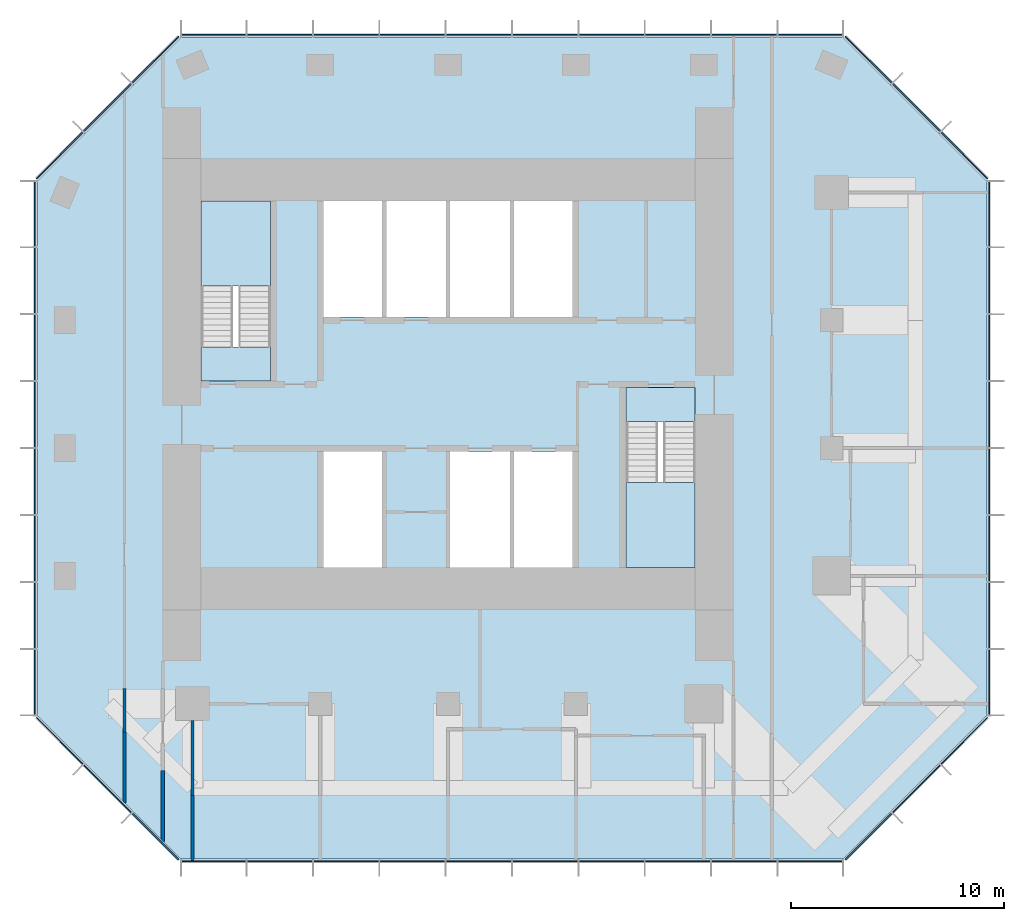
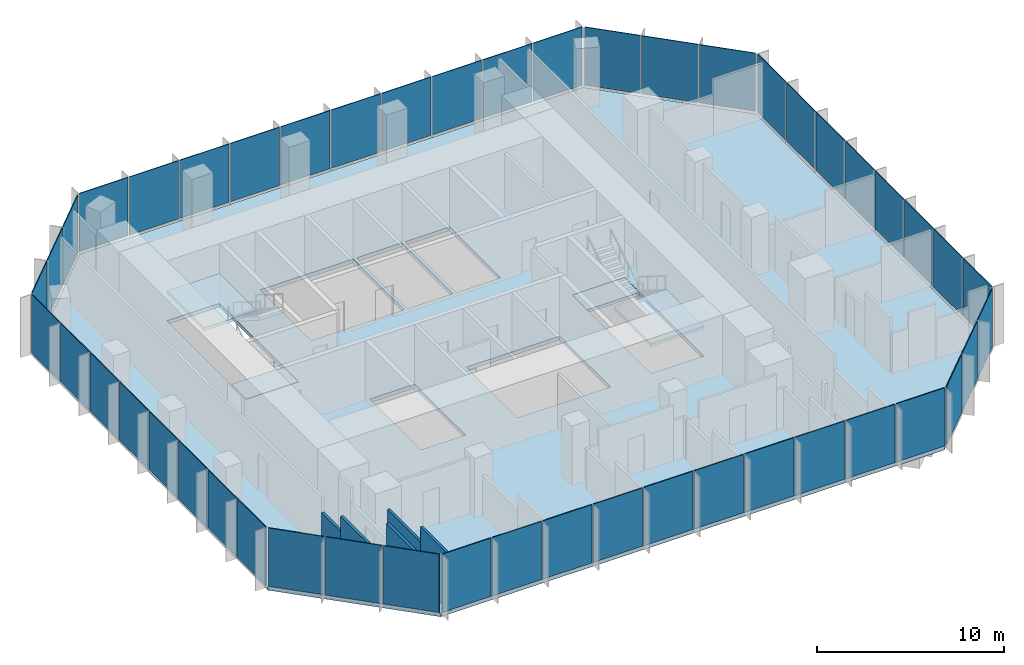
# One storey, part 7 of 11: 48 plates, 5 slabs, 5 walls, 10 elements without a shape of their own.
"""IFC4 building model written with IfcOpenShell, lengths in metres."""

from ifc_helpers import new_model, si_unit, direction, frame, frame_2d, origin, origin_2d, place, context, subcontext, project, spatial, polyline, rectangle, outline, extrude, material, layer, layer_set, type_object, element, aggregate, save


model = new_model("IFC4")

# Units and contexts
model_context = context("Model", 3, precision=1e-05, world=origin(), true_north=direction((0.0, 1.0)))
body_context = subcontext(model_context, "Body", "Model", "MODEL_VIEW")
ifc_project = project(units=[si_unit("LENGTHUNIT", "METRE"), si_unit("AREAUNIT", "SQUARE_METRE"), si_unit("VOLUMEUNIT", "CUBIC_METRE"), si_unit("PLANEANGLEUNIT", "RADIAN"), si_unit("MASSUNIT", "GRAM", prefix="KILO")], contexts=[model_context])

# Site, building, storey
site_placement = place(None, origin())
site = spatial("IfcSite", under=ifc_project, at=site_placement, CompositionType="ELEMENT")
building_placement = place(site_placement, origin())
building = spatial("IfcBuilding", under=site, at=building_placement, Name="Highveld Stack Headquarters", CompositionType="ELEMENT")
storey_placement = place(building_placement, frame((0.0, 0.0, 272.300048828125)))
storey = spatial("IfcBuildingStorey", under=building, at=storey_placement, Name="L67", CompositionType="ELEMENT", Elevation=272.300048828125)

# Curtain wall, plates
ifc_material_1 = material(Name="Aluminium bronze anodised", Category="aluminium")
ifc_layer_1 = layer(ifc_material_1, 0.199951171875)
ifc_layer_set_1 = layer_set([ifc_layer_1], Name="Aluminium bronze anodised")
curtain_wall_type = type_object("IfcCurtainWallType", Name="CW5 EXECUTIVE UNITISED CURTAIN WALL", PredefinedType="NOTDEFINED", material=ifc_layer_set_1)
curtain_wall_1_placement = place(storey_placement, origin())
curtain_wall_1 = element("IfcCurtainWall", 1, at=curtain_wall_1_placement, inside=storey, type_object=curtain_wall_type, Name="Curtain wall CW5 L67 S", PredefinedType="NOTDEFINED")
ifc_material_2 = material(Name="Glass bronze tinted triple glazed unit", Category="glass")
ifc_layer_2 = layer(ifc_material_2, 0.050048828125)
ifc_layer_set_2 = layer_set([ifc_layer_2], Name="Glass bronze tinted triple glazed unit")
plate_type = type_object("IfcPlateType", Name="CW5 PANEL BRONZE TINTED TRIPLE GLAZED UNIT", PredefinedType="CURTAIN_PANEL", material=ifc_layer_set_2)
plate_1_placement = place(storey_placement, frame((-5.005615234375, -19.39990234375, 0.10009765625), z_axis=(0.0, 0.0, 1.0), x_axis=(1.0, 0.0, 0.0)))
plate_1 = element("IfcPlate", 2, at=plate_1_placement, type_object=plate_type, Name="CW5 panel L67 1.1", PredefinedType="CURTAIN_PANEL", context=body_context, shape_type="SweptSolid", body=[
    extrude(rectangle(XDim=3.0185546875, YDim=0.050048828125, at=origin_2d()), origin(), (0.0, 0.0, 1.0), 3.800048828125),
])
plate_2_placement = place(storey_placement, frame((-1.906005859375, -19.39990234375, 0.10009765625), z_axis=(0.0, 0.0, 1.0), x_axis=(1.0, 0.0, 0.0)))
plate_2 = element("IfcPlate", 3, at=plate_2_placement, type_object=plate_type, Name="CW5 panel L67 2.1", PredefinedType="CURTAIN_PANEL", context=body_context, shape_type="SweptSolid", body=[
    extrude(rectangle(XDim=3.051025390625, YDim=0.050048828125, at=origin_2d()), origin(), (0.0, 0.0, 1.0), 3.800048828125),
])
plate_3_placement = place(storey_placement, frame((1.2099609375, -19.39990234375, 0.10009765625), z_axis=(0.0, 0.0, 1.0), x_axis=(1.0, 0.0, 0.0)))
plate_3 = element("IfcPlate", 4, at=plate_3_placement, type_object=plate_type, Name="CW5 panel L67 3.1", PredefinedType="CURTAIN_PANEL", context=body_context, shape_type="SweptSolid", body=[
    extrude(rectangle(XDim=3.051025390625, YDim=0.050048828125, at=origin_2d()), origin(), (0.0, 0.0, 1.0), 3.800048828125),
])
plate_4_placement = place(storey_placement, frame((4.325927734375, -19.39990234375, 0.10009765625), z_axis=(0.0, 0.0, 1.0), x_axis=(1.0, 0.0, 0.0)))
plate_4 = element("IfcPlate", 5, at=plate_4_placement, type_object=plate_type, Name="CW5 panel L67 4.1", PredefinedType="CURTAIN_PANEL", context=body_context, shape_type="SweptSolid", body=[
    extrude(rectangle(XDim=3.051025390625, YDim=0.050048828125, at=origin_2d()), origin(), (0.0, 0.0, 1.0), 3.800048828125),
])
plate_5_placement = place(storey_placement, frame((7.44189453125, -19.39990234375, 0.10009765625), z_axis=(0.0, 0.0, 1.0), x_axis=(1.0, 0.0, 0.0)))
plate_5 = element("IfcPlate", 6, at=plate_5_placement, type_object=plate_type, Name="CW5 panel L67 5.1", PredefinedType="CURTAIN_PANEL", context=body_context, shape_type="SweptSolid", body=[
    extrude(rectangle(XDim=3.051025390625, YDim=0.050048828125, at=origin_2d()), origin(), (0.0, 0.0, 1.0), 3.800048828125),
])
plate_6_placement = place(storey_placement, frame((10.55810546875, -19.39990234375, 0.10009765625), z_axis=(0.0, 0.0, 1.0), x_axis=(1.0, 0.0, 0.0)))
plate_6 = element("IfcPlate", 7, at=plate_6_placement, type_object=plate_type, Name="CW5 panel L67 6.1", PredefinedType="CURTAIN_PANEL", context=body_context, shape_type="SweptSolid", body=[
    extrude(rectangle(XDim=3.051025390625, YDim=0.050048828125, at=origin_2d()), origin(), (0.0, 0.0, 1.0), 3.800048828125),
])
plate_7_placement = place(storey_placement, frame((13.674072265625, -19.39990234375, 0.10009765625), z_axis=(0.0, 0.0, 1.0), x_axis=(1.0, 0.0, 0.0)))
plate_7 = element("IfcPlate", 8, at=plate_7_placement, type_object=plate_type, Name="CW5 panel L67 7.1", PredefinedType="CURTAIN_PANEL", context=body_context, shape_type="SweptSolid", body=[
    extrude(rectangle(XDim=3.051025390625, YDim=0.050048828125, at=origin_2d()), origin(), (0.0, 0.0, 1.0), 3.800048828125),
])
plate_8_placement = place(storey_placement, frame((16.789794921875, -19.39990234375, 0.10009765625), z_axis=(0.0, 0.0, 1.0), x_axis=(1.0, 0.0, 0.0)))
plate_8 = element("IfcPlate", 9, at=plate_8_placement, type_object=plate_type, Name="CW5 panel L67 8.1", PredefinedType="CURTAIN_PANEL", context=body_context, shape_type="SweptSolid", body=[
    extrude(rectangle(XDim=3.051025390625, YDim=0.050048828125, at=origin_2d()), origin(), (0.0, 0.0, 1.0), 3.800048828125),
])
plate_9_placement = place(storey_placement, frame((19.906005859375, -19.39990234375, 0.10009765625), z_axis=(0.0, 0.0, 1.0), x_axis=(1.0, 0.0, 0.0)))
plate_9 = element("IfcPlate", 10, at=plate_9_placement, type_object=plate_type, Name="CW5 panel L67 9.1", PredefinedType="CURTAIN_PANEL", context=body_context, shape_type="SweptSolid", body=[
    extrude(rectangle(XDim=3.051025390625, YDim=0.050048828125, at=origin_2d()), origin(), (0.0, 0.0, 1.0), 3.800048828125),
])
plate_10_placement = place(storey_placement, frame((23.005615234375, -19.39990234375, 0.10009765625), z_axis=(0.0, 0.0, 1.0), x_axis=(1.0, 0.0, 0.0)))
plate_10 = element("IfcPlate", 11, at=plate_10_placement, type_object=plate_type, Name="CW5 panel L67 10.1", PredefinedType="CURTAIN_PANEL", context=body_context, shape_type="SweptSolid", body=[
    extrude(rectangle(XDim=3.0185546875, YDim=0.050048828125, at=origin_2d()), origin(), (0.0, 0.0, 1.0), 3.800048828125),
])
aggregate(curtain_wall_1, [plate_1, plate_2, plate_3, plate_4, plate_5, plate_6, plate_7, plate_8, plate_9, plate_10])

curtain_wall_2_placement = place(storey_placement, origin())
curtain_wall_2 = element("IfcCurtainWall", 12, at=curtain_wall_2_placement, inside=storey, type_object=curtain_wall_type, Name="Curtain wall CW5 L67 SE", PredefinedType="NOTDEFINED")
plate_11_placement = place(storey_placement, frame((25.740478515625, -18.239501953125, 0.10009765625), z_axis=(0.0, 0.0, 1.0), x_axis=(0.707106781187, 0.707106781187, 0.0)))
plate_11 = element("IfcPlate", 13, at=plate_11_placement, type_object=plate_type, Name="CW5 panel L67 1.1", PredefinedType="CURTAIN_PANEL", context=body_context, shape_type="SweptSolid", body=[
    extrude(rectangle(XDim=3.08251953125, YDim=0.050048828125, at=origin_2d()), origin(), (0.0, 0.0, 1.0), 3.800048828125),
])
plate_12_placement = place(storey_placement, frame((27.989990234375, -15.989990234375, 0.10009765625), z_axis=(0.0, 0.0, 1.0), x_axis=(0.707106781187, 0.707106781187, 0.0)))
plate_12 = element("IfcPlate", 14, at=plate_12_placement, type_object=plate_type, Name="CW5 panel L67 2.1", PredefinedType="CURTAIN_PANEL", context=body_context, shape_type="SweptSolid", body=[
    extrude(rectangle(XDim=3.14990234375, YDim=0.050048828125, at=origin_2d()), origin(), (0.0, 0.0, 1.0), 3.800048828125),
])
plate_13_placement = place(storey_placement, frame((30.239501953125, -13.740478515625, 0.10009765625), z_axis=(0.0, 0.0, 1.0), x_axis=(0.707106781187, 0.707106781187, 0.0)))
plate_13 = element("IfcPlate", 15, at=plate_13_placement, type_object=plate_type, Name="CW5 panel L67 3.1", PredefinedType="CURTAIN_PANEL", context=body_context, shape_type="SweptSolid", body=[
    extrude(rectangle(XDim=3.08251953125, YDim=0.050048828125, at=origin_2d()), origin(), (0.0, 0.0, 1.0), 3.800048828125),
])
aggregate(curtain_wall_2, [plate_11, plate_12, plate_13])

curtain_wall_3_placement = place(storey_placement, origin())
curtain_wall_3 = element("IfcCurtainWall", 16, at=curtain_wall_3_placement, inside=storey, type_object=curtain_wall_type, Name="Curtain wall CW5 L67 E", PredefinedType="NOTDEFINED")
plate_14_placement = place(storey_placement, frame((31.39990234375, -10.9912109375, 0.10009765625), z_axis=(0.0, 0.0, 1.0), x_axis=(0.0, 1.0, 0.0)))
plate_14 = element("IfcPlate", 17, at=plate_14_placement, type_object=plate_type, Name="CW5 panel L67 1.1", PredefinedType="CURTAIN_PANEL", context=body_context, shape_type="SweptSolid", body=[
    extrude(rectangle(XDim=3.047607421875, YDim=0.050048828125, at=origin_2d()), origin(), (0.0, 0.0, 1.0), 3.800048828125),
])
plate_15_placement = place(storey_placement, frame((31.39990234375, -7.8623046875, 0.10009765625), z_axis=(0.0, 0.0, 1.0), x_axis=(0.0, 1.0, 0.0)))
plate_15 = element("IfcPlate", 18, at=plate_15_placement, type_object=plate_type, Name="CW5 panel L67 2.1", PredefinedType="CURTAIN_PANEL", context=body_context, shape_type="SweptSolid", body=[
    extrude(rectangle(XDim=3.080078125, YDim=0.050048828125, at=origin_2d()), origin(), (0.0, 0.0, 1.0), 3.800048828125),
])
plate_16_placement = place(storey_placement, frame((31.39990234375, -4.717529296875, 0.10009765625), z_axis=(0.0, 0.0, 1.0), x_axis=(0.0, 1.0, 0.0)))
plate_16 = element("IfcPlate", 19, at=plate_16_placement, type_object=plate_type, Name="CW5 panel L67 3.1", PredefinedType="CURTAIN_PANEL", context=body_context, shape_type="SweptSolid", body=[
    extrude(rectangle(XDim=3.080078125, YDim=0.050048828125, at=origin_2d()), origin(), (0.0, 0.0, 1.0), 3.800048828125),
])
plate_17_placement = place(storey_placement, frame((31.39990234375, -1.572509765625, 0.10009765625), z_axis=(0.0, 0.0, 1.0), x_axis=(0.0, 1.0, 0.0)))
plate_17 = element("IfcPlate", 20, at=plate_17_placement, type_object=plate_type, Name="CW5 panel L67 4.1", PredefinedType="CURTAIN_PANEL", context=body_context, shape_type="SweptSolid", body=[
    extrude(rectangle(XDim=3.080078125, YDim=0.050048828125, at=origin_2d()), origin(), (0.0, 0.0, 1.0), 3.800048828125),
])
plate_18_placement = place(storey_placement, frame((31.39990234375, 1.572509765625, 0.10009765625), z_axis=(0.0, 0.0, 1.0), x_axis=(0.0, 1.0, 0.0)))
plate_18 = element("IfcPlate", 21, at=plate_18_placement, type_object=plate_type, Name="CW5 panel L67 5.1", PredefinedType="CURTAIN_PANEL", context=body_context, shape_type="SweptSolid", body=[
    extrude(rectangle(XDim=3.080078125, YDim=0.050048828125, at=origin_2d()), origin(), (0.0, 0.0, 1.0), 3.800048828125),
])
plate_19_placement = place(storey_placement, frame((31.39990234375, 4.717529296875, 0.10009765625), z_axis=(0.0, 0.0, 1.0), x_axis=(0.0, 1.0, 0.0)))
plate_19 = element("IfcPlate", 22, at=plate_19_placement, type_object=plate_type, Name="CW5 panel L67 6.1", PredefinedType="CURTAIN_PANEL", context=body_context, shape_type="SweptSolid", body=[
    extrude(rectangle(XDim=3.080078125, YDim=0.050048828125, at=origin_2d()), origin(), (0.0, 0.0, 1.0), 3.800048828125),
])
plate_20_placement = place(storey_placement, frame((31.39990234375, 7.8623046875, 0.10009765625), z_axis=(0.0, 0.0, 1.0), x_axis=(0.0, 1.0, 0.0)))
plate_20 = element("IfcPlate", 23, at=plate_20_placement, type_object=plate_type, Name="CW5 panel L67 7.1", PredefinedType="CURTAIN_PANEL", context=body_context, shape_type="SweptSolid", body=[
    extrude(rectangle(XDim=3.080078125, YDim=0.050048828125, at=origin_2d()), origin(), (0.0, 0.0, 1.0), 3.800048828125),
])
plate_21_placement = place(storey_placement, frame((31.39990234375, 10.9912109375, 0.10009765625), z_axis=(0.0, 0.0, 1.0), x_axis=(0.0, 1.0, 0.0)))
plate_21 = element("IfcPlate", 24, at=plate_21_placement, type_object=plate_type, Name="CW5 panel L67 8.1", PredefinedType="CURTAIN_PANEL", context=body_context, shape_type="SweptSolid", body=[
    extrude(rectangle(XDim=3.047607421875, YDim=0.050048828125, at=origin_2d()), origin(), (0.0, 0.0, 1.0), 3.800048828125),
])
aggregate(curtain_wall_3, [plate_14, plate_15, plate_16, plate_17, plate_18, plate_19, plate_20, plate_21])

curtain_wall_4_placement = place(storey_placement, origin())
curtain_wall_4 = element("IfcCurtainWall", 25, at=curtain_wall_4_placement, inside=storey, type_object=curtain_wall_type, Name="Curtain wall CW5 L67 NE", PredefinedType="NOTDEFINED")
plate_22_placement = place(storey_placement, frame((30.239501953125, 13.740478515625, 0.10009765625), z_axis=(0.0, 0.0, 1.0), x_axis=(-0.707106781187, 0.707106781187, 0.0)))
plate_22 = element("IfcPlate", 26, at=plate_22_placement, type_object=plate_type, Name="CW5 panel L67 1.1", PredefinedType="CURTAIN_PANEL", context=body_context, shape_type="SweptSolid", body=[
    extrude(rectangle(XDim=3.08251953125, YDim=0.050048828125, at=origin_2d()), origin(), (0.0, 0.0, 1.0), 3.800048828125),
])
plate_23_placement = place(storey_placement, frame((27.989990234375, 15.989990234375, 0.10009765625), z_axis=(0.0, 0.0, 1.0), x_axis=(-0.707106781187, 0.707106781187, 0.0)))
plate_23 = element("IfcPlate", 27, at=plate_23_placement, type_object=plate_type, Name="CW5 panel L67 2.1", PredefinedType="CURTAIN_PANEL", context=body_context, shape_type="SweptSolid", body=[
    extrude(rectangle(XDim=3.14990234375, YDim=0.050048828125, at=origin_2d()), origin(), (0.0, 0.0, 1.0), 3.800048828125),
])
plate_24_placement = place(storey_placement, frame((25.740478515625, 18.239501953125, 0.10009765625), z_axis=(0.0, 0.0, 1.0), x_axis=(-0.707106781187, 0.707106781187, 0.0)))
plate_24 = element("IfcPlate", 28, at=plate_24_placement, type_object=plate_type, Name="CW5 panel L67 3.1", PredefinedType="CURTAIN_PANEL", context=body_context, shape_type="SweptSolid", body=[
    extrude(rectangle(XDim=3.08251953125, YDim=0.050048828125, at=origin_2d()), origin(), (0.0, 0.0, 1.0), 3.800048828125),
])
aggregate(curtain_wall_4, [plate_22, plate_23, plate_24])

curtain_wall_5_placement = place(storey_placement, origin())
curtain_wall_5 = element("IfcCurtainWall", 29, at=curtain_wall_5_placement, inside=storey, type_object=curtain_wall_type, Name="Curtain wall CW5 L67 N", PredefinedType="NOTDEFINED")
plate_25_placement = place(storey_placement, frame((23.005615234375, 19.39990234375, 0.10009765625), z_axis=(0.0, 0.0, 1.0), x_axis=(-1.0, 0.0, 0.0)))
plate_25 = element("IfcPlate", 30, at=plate_25_placement, type_object=plate_type, Name="CW5 panel L67 1.1", PredefinedType="CURTAIN_PANEL", context=body_context, shape_type="SweptSolid", body=[
    extrude(rectangle(XDim=3.0185546875, YDim=0.050048828125, at=origin_2d()), origin(), (0.0, 0.0, 1.0), 3.800048828125),
])
plate_26_placement = place(storey_placement, frame((19.906005859375, 19.39990234375, 0.10009765625), z_axis=(0.0, 0.0, 1.0), x_axis=(-1.0, 0.0, 0.0)))
plate_26 = element("IfcPlate", 31, at=plate_26_placement, type_object=plate_type, Name="CW5 panel L67 2.1", PredefinedType="CURTAIN_PANEL", context=body_context, shape_type="SweptSolid", body=[
    extrude(rectangle(XDim=3.051025390625, YDim=0.050048828125, at=origin_2d()), origin(), (0.0, 0.0, 1.0), 3.800048828125),
])
plate_27_placement = place(storey_placement, frame((16.7900390625, 19.39990234375, 0.10009765625), z_axis=(0.0, 0.0, 1.0), x_axis=(-1.0, 0.0, 0.0)))
plate_27 = element("IfcPlate", 32, at=plate_27_placement, type_object=plate_type, Name="CW5 panel L67 3.1", PredefinedType="CURTAIN_PANEL", context=body_context, shape_type="SweptSolid", body=[
    extrude(rectangle(XDim=3.051025390625, YDim=0.050048828125, at=origin_2d()), origin(), (0.0, 0.0, 1.0), 3.800048828125),
])
plate_28_placement = place(storey_placement, frame((13.674072265625, 19.39990234375, 0.10009765625), z_axis=(0.0, 0.0, 1.0), x_axis=(-1.0, 0.0, 0.0)))
plate_28 = element("IfcPlate", 33, at=plate_28_placement, type_object=plate_type, Name="CW5 panel L67 4.1", PredefinedType="CURTAIN_PANEL", context=body_context, shape_type="SweptSolid", body=[
    extrude(rectangle(XDim=3.051025390625, YDim=0.050048828125, at=origin_2d()), origin(), (0.0, 0.0, 1.0), 3.800048828125),
])
plate_29_placement = place(storey_placement, frame((10.55810546875, 19.39990234375, 0.10009765625), z_axis=(0.0, 0.0, 1.0), x_axis=(-1.0, 0.0, 0.0)))
plate_29 = element("IfcPlate", 34, at=plate_29_placement, type_object=plate_type, Name="CW5 panel L67 5.1", PredefinedType="CURTAIN_PANEL", context=body_context, shape_type="SweptSolid", body=[
    extrude(rectangle(XDim=3.051025390625, YDim=0.050048828125, at=origin_2d()), origin(), (0.0, 0.0, 1.0), 3.800048828125),
])
plate_30_placement = place(storey_placement, frame((7.44189453125, 19.39990234375, 0.10009765625), z_axis=(0.0, 0.0, 1.0), x_axis=(-1.0, 0.0, 0.0)))
plate_30 = element("IfcPlate", 35, at=plate_30_placement, type_object=plate_type, Name="CW5 panel L67 6.1", PredefinedType="CURTAIN_PANEL", context=body_context, shape_type="SweptSolid", body=[
    extrude(rectangle(XDim=3.051025390625, YDim=0.050048828125, at=origin_2d()), origin(), (0.0, 0.0, 1.0), 3.800048828125),
])
plate_31_placement = place(storey_placement, frame((4.325927734375, 19.39990234375, 0.10009765625), z_axis=(0.0, 0.0, 1.0), x_axis=(-1.0, 0.0, 0.0)))
plate_31 = element("IfcPlate", 36, at=plate_31_placement, type_object=plate_type, Name="CW5 panel L67 7.1", PredefinedType="CURTAIN_PANEL", context=body_context, shape_type="SweptSolid", body=[
    extrude(rectangle(XDim=3.051025390625, YDim=0.050048828125, at=origin_2d()), origin(), (0.0, 0.0, 1.0), 3.800048828125),
])
plate_32_placement = place(storey_placement, frame((1.210205078125, 19.39990234375, 0.10009765625), z_axis=(0.0, 0.0, 1.0), x_axis=(-1.0, 0.0, 0.0)))
plate_32 = element("IfcPlate", 37, at=plate_32_placement, type_object=plate_type, Name="CW5 panel L67 8.1", PredefinedType="CURTAIN_PANEL", context=body_context, shape_type="SweptSolid", body=[
    extrude(rectangle(XDim=3.051025390625, YDim=0.050048828125, at=origin_2d()), origin(), (0.0, 0.0, 1.0), 3.800048828125),
])
plate_33_placement = place(storey_placement, frame((-1.906005859375, 19.39990234375, 0.10009765625), z_axis=(0.0, 0.0, 1.0), x_axis=(-1.0, 0.0, 0.0)))
plate_33 = element("IfcPlate", 38, at=plate_33_placement, type_object=plate_type, Name="CW5 panel L67 9.1", PredefinedType="CURTAIN_PANEL", context=body_context, shape_type="SweptSolid", body=[
    extrude(rectangle(XDim=3.051025390625, YDim=0.050048828125, at=origin_2d()), origin(), (0.0, 0.0, 1.0), 3.800048828125),
])
plate_34_placement = place(storey_placement, frame((-5.005615234375, 19.39990234375, 0.10009765625), z_axis=(0.0, 0.0, 1.0), x_axis=(-1.0, 0.0, 0.0)))
plate_34 = element("IfcPlate", 39, at=plate_34_placement, type_object=plate_type, Name="CW5 panel L67 10.1", PredefinedType="CURTAIN_PANEL", context=body_context, shape_type="SweptSolid", body=[
    extrude(rectangle(XDim=3.0185546875, YDim=0.050048828125, at=origin_2d()), origin(), (0.0, 0.0, 1.0), 3.800048828125),
])
aggregate(curtain_wall_5, [plate_25, plate_26, plate_27, plate_28, plate_29, plate_30, plate_31, plate_32, plate_33, plate_34])

curtain_wall_6_placement = place(storey_placement, origin())
curtain_wall_6 = element("IfcCurtainWall", 40, at=curtain_wall_6_placement, inside=storey, type_object=curtain_wall_type, Name="Curtain wall CW5 L67 NW", PredefinedType="NOTDEFINED")
plate_35_placement = place(storey_placement, frame((-7.740478515625, 18.239501953125, 0.10009765625), z_axis=(0.0, 0.0, 1.0), x_axis=(-0.707106781187, -0.707106781187, 0.0)))
plate_35 = element("IfcPlate", 41, at=plate_35_placement, type_object=plate_type, Name="CW5 panel L67 1.1", PredefinedType="CURTAIN_PANEL", context=body_context, shape_type="SweptSolid", body=[
    extrude(rectangle(XDim=3.08251953125, YDim=0.050048828125, at=origin_2d()), origin(), (0.0, 0.0, 1.0), 3.800048828125),
])
plate_36_placement = place(storey_placement, frame((-9.989990234375, 15.989990234375, 0.10009765625), z_axis=(0.0, 0.0, 1.0), x_axis=(-0.707106781187, -0.707106781187, 0.0)))
plate_36 = element("IfcPlate", 42, at=plate_36_placement, type_object=plate_type, Name="CW5 panel L67 2.1", PredefinedType="CURTAIN_PANEL", context=body_context, shape_type="SweptSolid", body=[
    extrude(rectangle(XDim=3.14990234375, YDim=0.050048828125, at=origin_2d()), origin(), (0.0, 0.0, 1.0), 3.800048828125),
])
plate_37_placement = place(storey_placement, frame((-12.239501953125, 13.740478515625, 0.10009765625), z_axis=(0.0, 0.0, 1.0), x_axis=(-0.707106781187, -0.707106781187, 0.0)))
plate_37 = element("IfcPlate", 43, at=plate_37_placement, type_object=plate_type, Name="CW5 panel L67 3.1", PredefinedType="CURTAIN_PANEL", context=body_context, shape_type="SweptSolid", body=[
    extrude(rectangle(XDim=3.08251953125, YDim=0.050048828125, at=origin_2d()), origin(), (0.0, 0.0, 1.0), 3.800048828125),
])
aggregate(curtain_wall_6, [plate_35, plate_36, plate_37])

curtain_wall_7_placement = place(storey_placement, origin())
curtain_wall_7 = element("IfcCurtainWall", 44, at=curtain_wall_7_placement, inside=storey, type_object=curtain_wall_type, Name="Curtain wall CW5 L67 W", PredefinedType="NOTDEFINED")
plate_38_placement = place(storey_placement, frame((-13.39990234375, 10.9912109375, 0.10009765625), z_axis=(0.0, 0.0, 1.0), x_axis=(0.0, -1.0, 0.0)))
plate_38 = element("IfcPlate", 45, at=plate_38_placement, type_object=plate_type, Name="CW5 panel L67 1.1", PredefinedType="CURTAIN_PANEL", context=body_context, shape_type="SweptSolid", body=[
    extrude(rectangle(XDim=3.047607421875, YDim=0.050048828125, at=origin_2d()), origin(), (0.0, 0.0, 1.0), 3.800048828125),
])
plate_39_placement = place(storey_placement, frame((-13.39990234375, 7.8623046875, 0.10009765625), z_axis=(0.0, 0.0, 1.0), x_axis=(0.0, -1.0, 0.0)))
plate_39 = element("IfcPlate", 46, at=plate_39_placement, type_object=plate_type, Name="CW5 panel L67 2.1", PredefinedType="CURTAIN_PANEL", context=body_context, shape_type="SweptSolid", body=[
    extrude(rectangle(XDim=3.080078125, YDim=0.050048828125, at=origin_2d()), origin(), (0.0, 0.0, 1.0), 3.800048828125),
])
plate_40_placement = place(storey_placement, frame((-13.39990234375, 4.717529296875, 0.10009765625), z_axis=(0.0, 0.0, 1.0), x_axis=(0.0, -1.0, 0.0)))
plate_40 = element("IfcPlate", 47, at=plate_40_placement, type_object=plate_type, Name="CW5 panel L67 3.1", PredefinedType="CURTAIN_PANEL", context=body_context, shape_type="SweptSolid", body=[
    extrude(rectangle(XDim=3.080078125, YDim=0.050048828125, at=origin_2d()), origin(), (0.0, 0.0, 1.0), 3.800048828125),
])
plate_41_placement = place(storey_placement, frame((-13.39990234375, 1.572509765625, 0.10009765625), z_axis=(0.0, 0.0, 1.0), x_axis=(0.0, -1.0, 0.0)))
plate_41 = element("IfcPlate", 48, at=plate_41_placement, type_object=plate_type, Name="CW5 panel L67 4.1", PredefinedType="CURTAIN_PANEL", context=body_context, shape_type="SweptSolid", body=[
    extrude(rectangle(XDim=3.080078125, YDim=0.050048828125, at=origin_2d()), origin(), (0.0, 0.0, 1.0), 3.800048828125),
])
plate_42_placement = place(storey_placement, frame((-13.39990234375, -1.572509765625, 0.10009765625), z_axis=(0.0, 0.0, 1.0), x_axis=(0.0, -1.0, 0.0)))
plate_42 = element("IfcPlate", 49, at=plate_42_placement, type_object=plate_type, Name="CW5 panel L67 5.1", PredefinedType="CURTAIN_PANEL", context=body_context, shape_type="SweptSolid", body=[
    extrude(rectangle(XDim=3.080078125, YDim=0.050048828125, at=origin_2d()), origin(), (0.0, 0.0, 1.0), 3.800048828125),
])
plate_43_placement = place(storey_placement, frame((-13.39990234375, -4.717529296875, 0.10009765625), z_axis=(0.0, 0.0, 1.0), x_axis=(0.0, -1.0, 0.0)))
plate_43 = element("IfcPlate", 50, at=plate_43_placement, type_object=plate_type, Name="CW5 panel L67 6.1", PredefinedType="CURTAIN_PANEL", context=body_context, shape_type="SweptSolid", body=[
    extrude(rectangle(XDim=3.080078125, YDim=0.050048828125, at=origin_2d()), origin(), (0.0, 0.0, 1.0), 3.800048828125),
])
plate_44_placement = place(storey_placement, frame((-13.39990234375, -7.8623046875, 0.10009765625), z_axis=(0.0, 0.0, 1.0), x_axis=(0.0, -1.0, 0.0)))
plate_44 = element("IfcPlate", 51, at=plate_44_placement, type_object=plate_type, Name="CW5 panel L67 7.1", PredefinedType="CURTAIN_PANEL", context=body_context, shape_type="SweptSolid", body=[
    extrude(rectangle(XDim=3.080078125, YDim=0.050048828125, at=origin_2d()), origin(), (0.0, 0.0, 1.0), 3.800048828125),
])
plate_45_placement = place(storey_placement, frame((-13.39990234375, -10.9912109375, 0.10009765625), z_axis=(0.0, 0.0, 1.0), x_axis=(0.0, -1.0, 0.0)))
plate_45 = element("IfcPlate", 52, at=plate_45_placement, type_object=plate_type, Name="CW5 panel L67 8.1", PredefinedType="CURTAIN_PANEL", context=body_context, shape_type="SweptSolid", body=[
    extrude(rectangle(XDim=3.047607421875, YDim=0.050048828125, at=origin_2d()), origin(), (0.0, 0.0, 1.0), 3.800048828125),
])
aggregate(curtain_wall_7, [plate_38, plate_39, plate_40, plate_41, plate_42, plate_43, plate_44, plate_45])

curtain_wall_8_placement = place(storey_placement, origin())
curtain_wall_8 = element("IfcCurtainWall", 53, at=curtain_wall_8_placement, inside=storey, type_object=curtain_wall_type, Name="Curtain wall CW5 L67 SW", PredefinedType="NOTDEFINED")
plate_46_placement = place(storey_placement, frame((-12.239501953125, -13.740478515625, 0.10009765625), z_axis=(0.0, 0.0, 1.0), x_axis=(0.707106781187, -0.707106781187, 0.0)))
plate_46 = element("IfcPlate", 54, at=plate_46_placement, type_object=plate_type, Name="CW5 panel L67 1.1", PredefinedType="CURTAIN_PANEL", context=body_context, shape_type="SweptSolid", body=[
    extrude(rectangle(XDim=3.08251953125, YDim=0.050048828125, at=origin_2d()), origin(), (0.0, 0.0, 1.0), 3.800048828125),
])
plate_47_placement = place(storey_placement, frame((-9.989990234375, -15.989990234375, 0.10009765625), z_axis=(0.0, 0.0, 1.0), x_axis=(0.707106781187, -0.707106781187, 0.0)))
plate_47 = element("IfcPlate", 55, at=plate_47_placement, type_object=plate_type, Name="CW5 panel L67 2.1", PredefinedType="CURTAIN_PANEL", context=body_context, shape_type="SweptSolid", body=[
    extrude(rectangle(XDim=3.14990234375, YDim=0.050048828125, at=origin_2d()), origin(), (0.0, 0.0, 1.0), 3.800048828125),
])
plate_48_placement = place(storey_placement, frame((-7.740478515625, -18.239501953125, 0.10009765625), z_axis=(0.0, 0.0, 1.0), x_axis=(0.707106781187, -0.707106781187, 0.0)))
plate_48 = element("IfcPlate", 56, at=plate_48_placement, type_object=plate_type, Name="CW5 panel L67 3.1", PredefinedType="CURTAIN_PANEL", context=body_context, shape_type="SweptSolid", body=[
    extrude(rectangle(XDim=3.08251953125, YDim=0.050048828125, at=origin_2d()), origin(), (0.0, 0.0, 1.0), 3.800048828125),
])
aggregate(curtain_wall_8, [plate_46, plate_47, plate_48])

# Slab
ifc_material_3 = material(Name="Concrete C60/75", Category="concrete")
ifc_layer_3 = layer(ifc_material_3, 0.25)
ifc_layer_set_3 = layer_set([ifc_layer_3], Name="Concrete C60/75")
slab_type_1 = type_object("IfcSlabType", Name="PT FLAT SLAB 250", PredefinedType="FLOOR", material=ifc_layer_set_3)
slab_1_placement = place(storey_placement, frame((0.0, 0.0, -0.25)))
element("IfcSlab", 57, at=slab_1_placement, inside=storey, type_object=slab_type_1, Name="Floor slab L67", PredefinedType="FLOOR", context=body_context, shape_type="SweptSolid", body=[
    extrude(outline(polyline([(-6.53857421875, -19.300048828125), (24.53857421875, -19.300048828125), (31.300048828125, -12.53857421875), (31.300048828125, 12.53857421875), (24.53857421875, 19.300048828125), (-6.53857421875, 19.300048828125), (-13.300048828125, 12.53857421875), (-13.300048828125, -12.53857421875), (-6.53857421875, -19.300048828125)]), holes=[polyline([(0.14990234375, 6.14990234375), (5.89990234375, 6.14990234375), (5.89990234375, 11.60009765625), (0.14990234375, 11.60009765625), (0.14990234375, 6.14990234375)]), polyline([(9.10009765625, 6.14990234375), (11.85009765625, 6.14990234375), (11.85009765625, 11.60009765625), (9.10009765625, 11.60009765625), (9.10009765625, 6.14990234375)]), polyline([(6.10009765625, 6.14990234375), (8.89990234375, 6.14990234375), (8.89990234375, 11.60009765625), (6.10009765625, 11.60009765625), (6.10009765625, 6.14990234375)]), polyline([(6.10009765625, -5.60009765625), (11.85009765625, -5.60009765625), (11.85009765625, -0.14990234375), (6.10009765625, -0.14990234375), (6.10009765625, -5.60009765625)]), polyline([(0.14990234375, -5.60009765625), (2.89990234375, -5.60009765625), (2.89990234375, -0.14990234375), (0.14990234375, -0.14990234375), (0.14990234375, -5.60009765625)]), polyline([(-5.60009765625, 3.14990234375), (-2.35009765625, 3.14990234375), (-2.35009765625, 11.60009765625), (-5.60009765625, 11.60009765625), (-5.60009765625, 3.14990234375)]), polyline([(14.35009765625, -5.60009765625), (17.60009765625, -5.60009765625), (17.60009765625, 2.85009765625), (14.35009765625, 2.85009765625), (14.35009765625, -5.60009765625)])]), origin(), (0.0, 0.0, 1.0), 0.25),
])

# Stair, slabs
ifc_material_4 = material(Name="Concrete C40/50, precast", Category="concrete")
stair_type_1 = type_object("IfcStairType", Name="STAIR S1 HALF TURN 1500", PredefinedType="HALF_TURN_STAIR", material=ifc_material_4)
stair_1_placement = place(storey_placement, origin())
stair_1 = element("IfcStair", 58, at=stair_1_placement, inside=storey, type_object=stair_type_1, Name="Stair S1 L67", PredefinedType="HALF_TURN_STAIR")
ifc_material_5 = material(Name="Concrete C40/50, precast", Category="concrete")
ifc_layer_4 = layer(ifc_material_5, 0.199951171875)
ifc_layer_set_4 = layer_set([ifc_layer_4], Name="Concrete C40/50, precast")
slab_type_2 = type_object("IfcSlabType", Name="STAIR LANDING 200", PredefinedType="LANDING", material=ifc_layer_set_4)
slab_2_placement = place(storey_placement, frame((0.0, 0.0, 1.75)))
slab_2 = element("IfcSlab", 59, at=slab_2_placement, type_object=slab_type_2, Name="S1 landing 1", PredefinedType="LANDING", context=body_context, shape_type="SweptSolid", body=[
    extrude(outline(polyline([(-5.60009765625, 7.610107421875), (-2.35009765625, 7.610107421875), (-2.35009765625, 11.60009765625), (-5.60009765625, 11.60009765625), (-5.60009765625, 7.610107421875)])), origin(), (0.0, 0.0, 1.0), 0.199951171875),
])
slab_3_placement = place(storey_placement, frame((0.0, 0.0, -0.199951171875)))
slab_3 = element("IfcSlab", 60, at=slab_3_placement, type_object=slab_type_2, Name="S1 landing 2", PredefinedType="LANDING", context=body_context, shape_type="SweptSolid", body=[
    extrude(outline(polyline([(-5.60009765625, 3.14990234375), (-2.35009765625, 3.14990234375), (-2.35009765625, 4.75), (-5.60009765625, 4.75), (-5.60009765625, 3.14990234375)])), origin(), (0.0, 0.0, 1.0), 0.199951171875),
])
aggregate(stair_1, [slab_2, slab_3])

ifc_material_6 = material(Name="Concrete C40/50, precast", Category="concrete")
stair_type_2 = type_object("IfcStairType", Name="STAIR S2 HALF TURN 1500", PredefinedType="HALF_TURN_STAIR", material=ifc_material_6)
stair_2_placement = place(storey_placement, origin())
stair_2 = element("IfcStair", 61, at=stair_2_placement, inside=storey, type_object=stair_type_2, Name="Stair S2 L67", PredefinedType="HALF_TURN_STAIR")
slab_4_placement = place(storey_placement, frame((0.0, 0.0, 1.75)))
slab_4 = element("IfcSlab", 62, at=slab_4_placement, type_object=slab_type_2, Name="S2 landing 1", PredefinedType="LANDING", context=body_context, shape_type="SweptSolid", body=[
    extrude(outline(polyline([(14.35009765625, -5.60009765625), (17.60009765625, -5.60009765625), (17.60009765625, -1.610107421875), (14.35009765625, -1.610107421875), (14.35009765625, -5.60009765625)])), origin(), (0.0, 0.0, 1.0), 0.199951171875),
])
slab_5_placement = place(storey_placement, frame((0.0, 0.0, -0.199951171875)))
slab_5 = element("IfcSlab", 63, at=slab_5_placement, type_object=slab_type_2, Name="S2 landing 2", PredefinedType="LANDING", context=body_context, shape_type="SweptSolid", body=[
    extrude(outline(polyline([(14.35009765625, 1.25), (17.60009765625, 1.25), (17.60009765625, 2.85009765625), (14.35009765625, 2.85009765625), (14.35009765625, 1.25)])), origin(), (0.0, 0.0, 1.0), 0.199951171875),
])
aggregate(stair_2, [slab_4, slab_5])

# Walls
ifc_material_7 = material(Name="Gypsum plasterboard on steel studs", Category="steel")
ifc_layer_5 = layer(ifc_material_7, 0.14990234375)
ifc_layer_set_5 = layer_set([ifc_layer_5], Name="Gypsum plasterboard on steel studs")
wall_type = type_object("IfcWallType", Name="PARTITION 150 PLASTERBOARD", PredefinedType="PARTITIONING", material=ifc_layer_set_5)
wall_1_placement = place(storey_placement, frame((-6.0, -19.375, 0.0), z_axis=(0.0, 0.0, 1.0), x_axis=(0.0, 1.0, 0.0)))
element("IfcWall", 64, at=wall_1_placement, inside=storey, type_object=wall_type, Name="Partition Executive office L67", PredefinedType="PARTITIONING", context=body_context, shape_type="SweptSolid", body=[
    extrude(rectangle(XDim=3.06494140625, YDim=0.14990234375, at=frame_2d((1.532470703125, 0.0))), origin(), (0.0, 0.0, 1.0), 3.64990234375),
])
wall_2_placement = place(storey_placement, frame((-6.0, -16.31005859375, 0.0), z_axis=(0.0, 0.0, 1.0), x_axis=(0.0, 1.0, 0.0)))
element("IfcWall", 65, at=wall_2_placement, inside=storey, type_object=wall_type, Name="Partition Executive office L67", PredefinedType="PARTITIONING", context=body_context, shape_type="SweptSolid", body=[
    extrude(rectangle(XDim=3.510009765625, YDim=0.14990234375, at=frame_2d((1.7548828125, 0.0))), origin(), (0.0, 0.0, 1.0), 2.64990234375),
])
wall_3_placement = place(storey_placement, frame((-9.199951171875, -16.6640625, 0.0), z_axis=(0.0, 0.0, 1.0), x_axis=(0.0, 1.0, 0.0)))
element("IfcWall", 66, at=wall_3_placement, inside=storey, type_object=wall_type, Name="Partition office neighbourhood L67", PredefinedType="PARTITIONING", context=body_context, shape_type="SweptSolid", body=[
    extrude(rectangle(XDim=3.323974609375, YDim=0.14990234375, at=frame_2d((1.662109375, 0.0))), origin(), (0.0, 0.0, 1.0), 3.64990234375),
])
wall_4_placement = place(storey_placement, frame((-9.199951171875, -13.340087890625, 0.0), z_axis=(0.0, 0.0, 1.0), x_axis=(0.0, 1.0, 0.0)))
element("IfcWall", 67, at=wall_4_placement, inside=storey, type_object=wall_type, Name="Partition office neighbourhood L67", PredefinedType="PARTITIONING", context=body_context, shape_type="SweptSolid", body=[
    extrude(rectangle(XDim=2.050048828125, YDim=0.14990234375, at=frame_2d((1.02490234375, 0.0))), origin(), (0.0, 0.0, 1.0), 2.64990234375),
])
wall_5_placement = place(storey_placement, frame((-7.39990234375, -18.464111328125, 0.0), z_axis=(0.0, 0.0, 1.0), x_axis=(0.0, 1.0, 0.0)))
element("IfcWall", 68, at=wall_5_placement, inside=storey, type_object=wall_type, Name="Partition office neighbourhood L67", PredefinedType="PARTITIONING", context=body_context, shape_type="SweptSolid", body=[
    extrude(rectangle(XDim=3.32421875, YDim=0.14990234375, at=frame_2d((1.662109375, 0.0))), origin(), (0.0, 0.0, 1.0), 3.64990234375),
])

save(model, "model.ifc")
